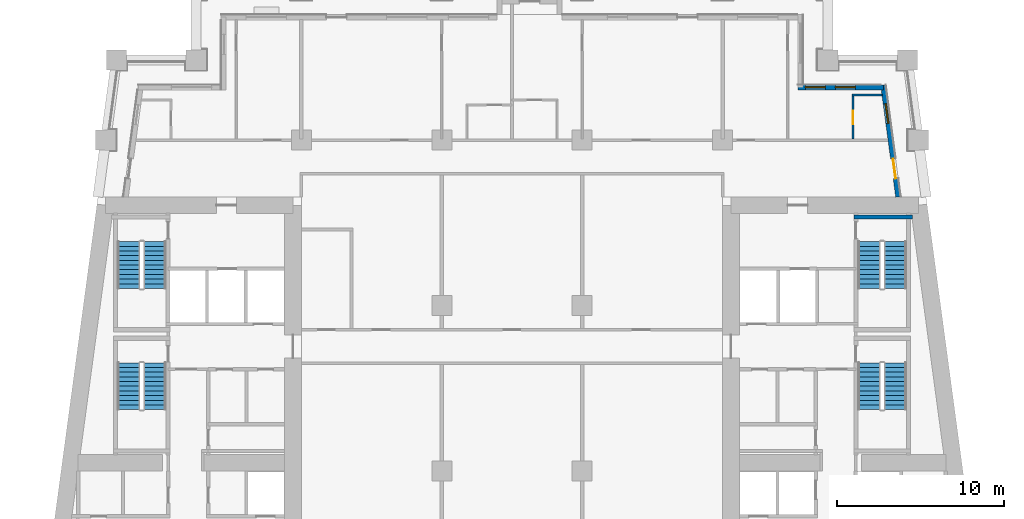
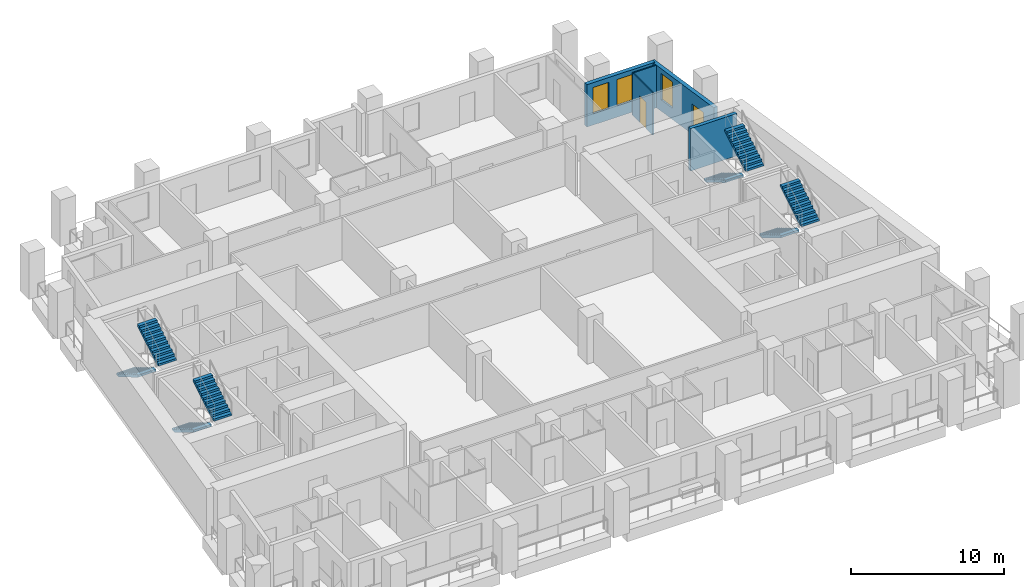
# One storey, part 8 of 13: 8 stair flights, 5 walls, 3 windows, 2 doors, 5 openings, 4 elements without a shape of their own.
"""IFC4 building model written with IfcOpenShell, lengths in metres."""

from ifc_helpers import new_model, si_unit, direction, frame, frame_2d, origin, place, context, subcontext, project, spatial, polyline, rectangle, outline, extrude, material, layer, layer_set, type_object, element, fill, aggregate, save


model = new_model("IFC4")

# Units and contexts
model_context = context("Model", 3, precision=1e-05, world=origin(), true_north=direction((0.0, 1.0)))
body_context = subcontext(model_context, "Body", "Model", "MODEL_VIEW")
ifc_project = project(units=[si_unit("LENGTHUNIT", "METRE"), si_unit("AREAUNIT", "SQUARE_METRE"), si_unit("VOLUMEUNIT", "CUBIC_METRE"), si_unit("PLANEANGLEUNIT", "RADIAN"), si_unit("MASSUNIT", "GRAM", prefix="KILO")], contexts=[model_context])

# Site, building, storey
site_placement = place(None, origin())
site = spatial("IfcSite", under=ifc_project, at=site_placement, CompositionType="ELEMENT")
building_placement = place(site_placement, origin())
building = spatial("IfcBuilding", under=site, at=building_placement, Name="Candeia Pilgrim Tower and Theatre", CompositionType="ELEMENT")
storey_placement = place(building_placement, frame((0.0, 0.0, 94.699951171875)))
storey = spatial("IfcBuildingStorey", under=building, at=storey_placement, Name="L21", CompositionType="ELEMENT", Elevation=94.699951171875)

# Wall, openings, door, window
ifc_material_1 = material(Name="Ceramic block masonry", Category="masonry")
ifc_layer_1 = layer(ifc_material_1, 0.300048828125)
ifc_layer_set_1 = layer_set([ifc_layer_1], Name="EW1 glazing-line wall 300")
wall_type_1 = type_object("IfcWallType", Name="EW1 glazing-line wall 300", PredefinedType="SOLIDWALL", material=ifc_layer_set_1)
wall_1_placement = place(storey_placement, frame((136.50439453125, 132.39990234375, 0.0), z_axis=(0.0, 0.0, 1.0), x_axis=(-0.133399697462, 0.99106231929, 0.0)))
wall_1 = element("IfcWall", 1, at=wall_1_placement, inside=storey, type_object=wall_type_1, Name="External wall L21-3.1", PredefinedType="SOLIDWALL", context=body_context, shape_type="SweptSolid", body=[
    extrude(rectangle(XDim=6.740478515625, YDim=0.300048828125, at=frame_2d((3.3701171875, 0.0))), origin(), (0.0, 0.0, 1.0), 3.380126953125),
])
opening_1_placement = place(wall_1_placement, frame((1.115234375, 0.0, 0.0)))
opening_1 = element("IfcOpeningElement", 2, at=opening_1_placement, cuts=wall_1, Name="Opening L21-ED218", PredefinedType="OPENING", context=body_context, shape_type="SweptSolid", body=[
    extrude(rectangle(XDim=1.199951171875, YDim=2.39990234375, at=frame_2d((0.60009765625, 1.199951171875))), frame((0.0, 0.16015625, 0.0), z_axis=(0.0, -1.0, 0.0), x_axis=(1.0, 0.0, 0.0)), (0.0, 0.0, 1.0), 0.320068359375),
])
opening_2_placement = place(wall_1_placement, frame((4.435546875, 0.0, 0.89990234375)))
opening_2 = element("IfcOpeningElement", 3, at=opening_2_placement, cuts=wall_1, Name="Opening W-B", PredefinedType="OPENING", context=body_context, shape_type="SweptSolid", body=[
    extrude(rectangle(XDim=1.199951171875, YDim=2.10009765625, at=frame_2d((0.60009765625, 1.050048828125))), frame((0.0, 0.16015625, 0.0), z_axis=(0.0, -1.0, 0.0), x_axis=(1.0, 0.0, 0.0)), (0.0, 0.0, 1.0), 0.320068359375),
])
ifc_material_2 = material(Name="Aluminium framed glazed door", Category="aluminium")
door_type_1 = type_object("IfcDoorType", Name="Loggia door 1200x2400", OperationType="DOUBLE_DOOR_SINGLE_SWING", PredefinedType="DOOR", material=ifc_material_2)
door_1_placement = place(opening_1_placement, origin())
door_1 = element("IfcDoor", 4, at=door_1_placement, inside=storey, type_object=door_type_1, Name="Loggia door L21-ED218", OperationType="DOUBLE_DOOR_SINGLE_SWING", OverallHeight=2.39990234375, OverallWidth=1.199951171875, PredefinedType="DOOR", context=body_context, shape_type="SweptSolid", body=[
    extrude(rectangle(XDim=1.199951171875, YDim=2.39990234375, at=frame_2d((0.60009765625, 1.199951171875))), frame((0.0, 0.02490234375, 0.0), z_axis=(0.0, -1.0, 0.0), x_axis=(1.0, 0.0, 0.0)), (0.0, 0.0, 1.0), 0.050048828125),
])
fill(opening_1, door_1)
ifc_material_3 = material(Name="Aluminium framed double glazing", Category="aluminium")
window_type = type_object("IfcWindowType", Name="W-B window 1200x2100", PartitioningType="SINGLE_PANEL", PredefinedType="WINDOW", material=ifc_material_3)
window_1_placement = place(opening_2_placement, origin())
window_1 = element("IfcWindow", 5, at=window_1_placement, inside=storey, type_object=window_type, Name="Window W-B L21", OverallHeight=2.10009765625, OverallWidth=1.199951171875, PartitioningType="SINGLE_PANEL", PredefinedType="WINDOW", context=body_context, shape_type="SweptSolid", body=[
    extrude(rectangle(XDim=1.199951171875, YDim=2.10009765625, at=frame_2d((0.60009765625, 1.050048828125))), frame((0.0, 0.030029296875, 0.0), z_axis=(0.0, -1.0, 0.0), x_axis=(1.0, 0.0, 0.0)), (0.0, 0.0, 1.0), 0.06005859375),
])
fill(opening_2, window_1)

# Wall, openings, windows
wall_2_placement = place(storey_placement, frame((135.62255859375, 138.949951171875, 0.0), z_axis=(0.0, 0.0, 1.0), x_axis=(-1.0, 0.0, 0.0)))
wall_2 = element("IfcWall", 6, at=wall_2_placement, inside=storey, type_object=wall_type_1, Name="External wall L21-4.0", PredefinedType="SOLIDWALL", context=body_context, shape_type="SweptSolid", body=[
    extrude(rectangle(XDim=5.12255859375, YDim=0.300048828125, at=frame_2d((2.561279296875, 0.0))), origin(), (0.0, 0.0, 1.0), 3.380126953125),
])
opening_3_placement = place(wall_2_placement, frame((1.672607421875, 0.0, 0.89990234375)))
opening_3 = element("IfcOpeningElement", 7, at=opening_3_placement, cuts=wall_2, Name="Opening W-B", PredefinedType="OPENING", context=body_context, shape_type="SweptSolid", body=[
    extrude(rectangle(XDim=1.199951171875, YDim=2.10009765625, at=frame_2d((0.60009765625, 1.050048828125))), frame((0.0, 0.16015625, 0.0), z_axis=(0.0, -1.0, 0.0), x_axis=(1.0, 0.0, 0.0)), (0.0, 0.0, 1.0), 0.320068359375),
])
opening_4_placement = place(wall_2_placement, frame((3.47265625, 0.0, 0.89990234375)))
opening_4 = element("IfcOpeningElement", 8, at=opening_4_placement, cuts=wall_2, Name="Opening W-B", PredefinedType="OPENING", context=body_context, shape_type="SweptSolid", body=[
    extrude(rectangle(XDim=1.199951171875, YDim=2.10009765625, at=frame_2d((0.60009765625, 1.050048828125))), frame((0.0, 0.16015625, 0.0), z_axis=(0.0, -1.0, 0.0), x_axis=(1.0, 0.0, 0.0)), (0.0, 0.0, 1.0), 0.320068359375),
])
window_2_placement = place(opening_3_placement, origin())
window_2 = element("IfcWindow", 9, at=window_2_placement, inside=storey, type_object=window_type, Name="Window W-B L21", OverallHeight=2.10009765625, OverallWidth=1.199951171875, PartitioningType="SINGLE_PANEL", PredefinedType="WINDOW", context=body_context, shape_type="SweptSolid", body=[
    extrude(rectangle(XDim=1.199951171875, YDim=2.10009765625, at=frame_2d((0.60009765625, 1.050048828125))), frame((0.0, 0.030029296875, 0.0), z_axis=(0.0, -1.0, 0.0), x_axis=(1.0, 0.0, 0.0)), (0.0, 0.0, 1.0), 0.06005859375),
])
fill(opening_3, window_2)
window_3_placement = place(opening_4_placement, origin())
window_3 = element("IfcWindow", 10, at=window_3_placement, inside=storey, type_object=window_type, Name="Window W-B L21", OverallHeight=2.10009765625, OverallWidth=1.199951171875, PartitioningType="SINGLE_PANEL", PredefinedType="WINDOW", context=body_context, shape_type="SweptSolid", body=[
    extrude(rectangle(XDim=1.199951171875, YDim=2.10009765625, at=frame_2d((0.60009765625, 1.050048828125))), frame((0.0, 0.030029296875, 0.0), z_axis=(0.0, -1.0, 0.0), x_axis=(1.0, 0.0, 0.0)), (0.0, 0.0, 1.0), 0.06005859375),
])
fill(opening_4, window_3)

# Wall
ifc_material_4 = material(Name="Gypsum board partition on steel studs", Category="steel")
ifc_layer_2 = layer(ifc_material_4, 0.10009765625)
ifc_layer_set_2 = layer_set([ifc_layer_2], Name="PW-100 room partition")
wall_type_2 = type_object("IfcWallType", Name="PW-100 room partition", PredefinedType="PARTITIONING", material=ifc_layer_set_2)
wall_3_placement = place(storey_placement, frame((133.75, 138.5, 0.0), z_axis=(0.0, 0.0, 1.0), x_axis=(1.0, 0.0, 0.0)))
element("IfcWall", 11, at=wall_3_placement, inside=storey, type_object=wall_type_2, Name="Room partition L21-048", PredefinedType="PARTITIONING", context=body_context, shape_type="SweptSolid", body=[
    extrude(rectangle(XDim=1.7919921875, YDim=0.10009765625, at=frame_2d((0.89599609375, 0.0))), origin(), (0.0, 0.0, 1.0), 3.380126953125),
])

# Wall, opening, door
wall_4_placement = place(storey_placement, frame((133.800048828125, 135.875, 0.0), z_axis=(0.0, 0.0, 1.0), x_axis=(0.0, 1.0, 0.0)))
wall_4 = element("IfcWall", 12, at=wall_4_placement, inside=storey, type_object=wall_type_2, Name="Room partition L21-110", PredefinedType="PARTITIONING", context=body_context, shape_type="SweptSolid", body=[
    extrude(rectangle(XDim=2.574951171875, YDim=0.10009765625, at=frame_2d((1.28759765625, 0.0))), origin(), (0.0, 0.0, 1.0), 3.380126953125),
])
opening_5_placement = place(wall_4_placement, frame((0.875, 0.0, 0.0)))
opening_5 = element("IfcOpeningElement", 13, at=opening_5_placement, cuts=wall_4, Name="Opening L21-D049", PredefinedType="OPENING", context=body_context, shape_type="SweptSolid", body=[
    extrude(rectangle(XDim=0.800048828125, YDim=2.10009765625, at=frame_2d((0.39990234375, 1.050048828125))), frame((0.0, 0.06005859375, 0.0), z_axis=(0.0, -1.0, 0.0), x_axis=(1.0, 0.0, 0.0)), (0.0, 0.0, 1.0), 0.1201171875),
])
ifc_material_5 = material(Name="Timber door leaf", Category="wood")
door_type_2 = type_object("IfcDoorType", Name="D-800", OperationType="NOTDEFINED", PredefinedType="DOOR", material=ifc_material_5)
door_2_placement = place(opening_5_placement, origin())
door_2 = element("IfcDoor", 14, at=door_2_placement, inside=storey, type_object=door_type_2, Name="Door L21-D049", OperationType="SINGLE_SWING_RIGHT", OverallHeight=2.10009765625, OverallWidth=0.800048828125, PredefinedType="DOOR", context=body_context, shape_type="SweptSolid", body=[
    extrude(rectangle(XDim=0.800048828125, YDim=2.10009765625, at=frame_2d((0.39990234375, 1.050048828125))), frame((0.0, 0.02490234375, 0.0), z_axis=(0.0, -1.0, 0.0), x_axis=(1.0, 0.0, 0.0)), (0.0, 0.0, 1.0), 0.050048828125),
])
fill(opening_5, door_2)

# Wall
ifc_material_6 = material(Name="Concrete C40/50", Category="concrete")
ifc_layer_3 = layer(ifc_material_6, 0.25)
ifc_layer_set_3 = layer_set([ifc_layer_3], Name="SW-250 stair wall")
wall_type_3 = type_object("IfcWallType", Name="SW-250 stair wall", PredefinedType="PARTITIONING", material=ifc_layer_set_3)
wall_5_placement = place(storey_placement, frame((133.847900390625, 131.199951171875, 0.0), z_axis=(0.0, 0.0, 1.0), x_axis=(1.0, 0.0, 0.0)))
element("IfcWall", 15, at=wall_5_placement, inside=storey, type_object=wall_type_3, Name="Stair wall L21-042", PredefinedType="PARTITIONING", context=body_context, shape_type="SweptSolid", body=[
    extrude(rectangle(XDim=3.50390625, YDim=0.25, at=frame_2d((1.751953125, 0.0))), origin(), (0.0, 0.0, 1.0), 3.380126953125),
])

# Stair, stair flights
stair_type = type_object("IfcStairType", Name="ST-TWR dog-leg escape stair", PredefinedType="HALF_TURN_STAIR", material=ifc_material_6)
stair_1_placement = place(storey_placement, origin())
stair_1 = element("IfcStair", 16, at=stair_1_placement, inside=storey, type_object=stair_type, Name="L21 Escape stair ST1", PredefinedType="HALF_TURN_STAIR")
stair_flight_type = type_object("IfcStairFlightType", Name="SFL-RC stair flight", PredefinedType="STRAIGHT", material=ifc_material_6)
stair_flight_1_placement = place(storey_placement, frame((90.47705078125, 122.47509765625, 0.0), z_axis=(0.0, 0.0, 1.0), x_axis=(0.0, -1.0, 0.0)))
stair_flight_1 = element("IfcStairFlight", 17, at=stair_flight_1_placement, type_object=stair_flight_type, Name="ST1 flight 1", NumberOfRisers=11, NumberOfTreads=10, PredefinedType="STRAIGHT", RiserHeight=0.168181818, TreadLength=0.28, context=body_context, shape_type="SweptSolid", body=[
    extrude(outline(polyline([(0.0, 0.0), (0.0, 0.168212890625), (0.280029296875, 0.168212890625), (0.280029296875, 0.33642578125), (0.56005859375, 0.33642578125), (0.56005859375, 0.504638671875), (0.840087890625, 0.504638671875), (0.840087890625, 0.672607421875), (1.1201171875, 0.672607421875), (1.1201171875, 0.8408203125), (1.39990234375, 0.8408203125), (1.39990234375, 1.009033203125), (1.679931640625, 1.009033203125), (1.679931640625, 1.17724609375), (1.9599609375, 1.17724609375), (1.9599609375, 1.345458984375), (2.239990234375, 1.345458984375), (2.239990234375, 1.513671875), (2.52001953125, 1.513671875), (2.52001953125, 1.681884765625), (2.800048828125, 1.681884765625), (2.800048828125, 1.85009765625), (2.800048828125, 1.5068359375), (0.291015625, 0.0), (0.0, 0.0)])), frame((0.0, 0.675048828125, 0.0), z_axis=(0.0, -1.0, 0.0), x_axis=(1.0, 0.0, 0.0)), (0.0, 0.0, 1.0), 1.35009765625),
])
stair_flight_2_placement = place(storey_placement, frame((92.027099609375, 119.675048828125, 1.85009765625), z_axis=(0.0, 0.0, 1.0), x_axis=(0.0, 1.0, 0.0)))
stair_flight_2 = element("IfcStairFlight", 18, at=stair_flight_2_placement, type_object=stair_flight_type, Name="ST1 flight 2", NumberOfRisers=11, NumberOfTreads=10, PredefinedType="STRAIGHT", RiserHeight=0.168181818, TreadLength=0.28, context=body_context, shape_type="SweptSolid", body=[
    extrude(outline(polyline([(0.0, 0.0), (0.0, 0.168212890625), (0.280029296875, 0.168212890625), (0.280029296875, 0.33642578125), (0.56005859375, 0.33642578125), (0.56005859375, 0.504638671875), (0.840087890625, 0.504638671875), (0.840087890625, 0.672607421875), (1.1201171875, 0.672607421875), (1.1201171875, 0.8408203125), (1.39990234375, 0.8408203125), (1.39990234375, 1.009033203125), (1.679931640625, 1.009033203125), (1.679931640625, 1.17724609375), (1.9599609375, 1.17724609375), (1.9599609375, 1.345458984375), (2.239990234375, 1.345458984375), (2.239990234375, 1.513671875), (2.52001953125, 1.513671875), (2.52001953125, 1.681884765625), (2.800048828125, 1.681884765625), (2.800048828125, 1.85009765625), (2.800048828125, 1.5068359375), (0.291015625, 0.0), (0.0, 0.0)])), frame((0.0, 0.675048828125, 0.0), z_axis=(0.0, -1.0, 0.0), x_axis=(1.0, 0.0, 0.0)), (0.0, 0.0, 1.0), 1.35009765625),
])
aggregate(stair_1, [stair_flight_1, stair_flight_2])

stair_2_placement = place(storey_placement, origin())
stair_2 = element("IfcStair", 19, at=stair_2_placement, inside=storey, type_object=stair_type, Name="L21 Escape stair ST2", PredefinedType="HALF_TURN_STAIR")
stair_flight_3_placement = place(storey_placement, frame((90.47705078125, 129.72509765625, 0.0), z_axis=(0.0, 0.0, 1.0), x_axis=(0.0, -1.0, 0.0)))
stair_flight_3 = element("IfcStairFlight", 20, at=stair_flight_3_placement, type_object=stair_flight_type, Name="ST2 flight 1", NumberOfRisers=11, NumberOfTreads=10, PredefinedType="STRAIGHT", RiserHeight=0.168181818, TreadLength=0.28, context=body_context, shape_type="SweptSolid", body=[
    extrude(outline(polyline([(0.0, 0.0), (0.0, 0.168212890625), (0.280029296875, 0.168212890625), (0.280029296875, 0.33642578125), (0.56005859375, 0.33642578125), (0.56005859375, 0.504638671875), (0.840087890625, 0.504638671875), (0.840087890625, 0.672607421875), (1.1201171875, 0.672607421875), (1.1201171875, 0.8408203125), (1.39990234375, 0.8408203125), (1.39990234375, 1.009033203125), (1.679931640625, 1.009033203125), (1.679931640625, 1.17724609375), (1.9599609375, 1.17724609375), (1.9599609375, 1.345458984375), (2.239990234375, 1.345458984375), (2.239990234375, 1.513671875), (2.52001953125, 1.513671875), (2.52001953125, 1.681884765625), (2.800048828125, 1.681884765625), (2.800048828125, 1.85009765625), (2.800048828125, 1.5068359375), (0.291015625, 0.0), (0.0, 0.0)])), frame((0.0, 0.675048828125, 0.0), z_axis=(0.0, -1.0, 0.0), x_axis=(1.0, 0.0, 0.0)), (0.0, 0.0, 1.0), 1.35009765625),
])
stair_flight_4_placement = place(storey_placement, frame((92.027099609375, 126.925048828125, 1.85009765625), z_axis=(0.0, 0.0, 1.0), x_axis=(0.0, 1.0, 0.0)))
stair_flight_4 = element("IfcStairFlight", 21, at=stair_flight_4_placement, type_object=stair_flight_type, Name="ST2 flight 2", NumberOfRisers=11, NumberOfTreads=10, PredefinedType="STRAIGHT", RiserHeight=0.168181818, TreadLength=0.28, context=body_context, shape_type="SweptSolid", body=[
    extrude(outline(polyline([(0.0, 0.0), (0.0, 0.168212890625), (0.280029296875, 0.168212890625), (0.280029296875, 0.33642578125), (0.56005859375, 0.33642578125), (0.56005859375, 0.504638671875), (0.840087890625, 0.504638671875), (0.840087890625, 0.672607421875), (1.1201171875, 0.672607421875), (1.1201171875, 0.8408203125), (1.39990234375, 0.8408203125), (1.39990234375, 1.009033203125), (1.679931640625, 1.009033203125), (1.679931640625, 1.17724609375), (1.9599609375, 1.17724609375), (1.9599609375, 1.345458984375), (2.239990234375, 1.345458984375), (2.239990234375, 1.513671875), (2.52001953125, 1.513671875), (2.52001953125, 1.681884765625), (2.800048828125, 1.681884765625), (2.800048828125, 1.85009765625), (2.800048828125, 1.5068359375), (0.291015625, 0.0), (0.0, 0.0)])), frame((0.0, 0.675048828125, 0.0), z_axis=(0.0, -1.0, 0.0), x_axis=(1.0, 0.0, 0.0)), (0.0, 0.0, 1.0), 1.35009765625),
])
aggregate(stair_2, [stair_flight_3, stair_flight_4])

stair_3_placement = place(storey_placement, origin())
stair_3 = element("IfcStair", 22, at=stair_3_placement, inside=storey, type_object=stair_type, Name="L21 Escape stair ST3", PredefinedType="HALF_TURN_STAIR")
stair_flight_5_placement = place(storey_placement, frame((134.77294921875, 122.47509765625, 0.0), z_axis=(0.0, 0.0, 1.0), x_axis=(0.0, -1.0, 0.0)))
stair_flight_5 = element("IfcStairFlight", 23, at=stair_flight_5_placement, type_object=stair_flight_type, Name="ST3 flight 1", NumberOfRisers=11, NumberOfTreads=10, PredefinedType="STRAIGHT", RiserHeight=0.168181818, TreadLength=0.28, context=body_context, shape_type="SweptSolid", body=[
    extrude(outline(polyline([(0.0, 0.0), (0.0, 0.168212890625), (0.280029296875, 0.168212890625), (0.280029296875, 0.33642578125), (0.56005859375, 0.33642578125), (0.56005859375, 0.504638671875), (0.840087890625, 0.504638671875), (0.840087890625, 0.672607421875), (1.1201171875, 0.672607421875), (1.1201171875, 0.8408203125), (1.39990234375, 0.8408203125), (1.39990234375, 1.009033203125), (1.679931640625, 1.009033203125), (1.679931640625, 1.17724609375), (1.9599609375, 1.17724609375), (1.9599609375, 1.345458984375), (2.239990234375, 1.345458984375), (2.239990234375, 1.513671875), (2.52001953125, 1.513671875), (2.52001953125, 1.681884765625), (2.800048828125, 1.681884765625), (2.800048828125, 1.85009765625), (2.800048828125, 1.5068359375), (0.291015625, 0.0), (0.0, 0.0)])), frame((0.0, 0.675048828125, 0.0), z_axis=(0.0, -1.0, 0.0), x_axis=(1.0, 0.0, 0.0)), (0.0, 0.0, 1.0), 1.35009765625),
])
stair_flight_6_placement = place(storey_placement, frame((136.322998046875, 119.675048828125, 1.85009765625), z_axis=(0.0, 0.0, 1.0), x_axis=(0.0, 1.0, 0.0)))
stair_flight_6 = element("IfcStairFlight", 24, at=stair_flight_6_placement, type_object=stair_flight_type, Name="ST3 flight 2", NumberOfRisers=11, NumberOfTreads=10, PredefinedType="STRAIGHT", RiserHeight=0.168181818, TreadLength=0.28, context=body_context, shape_type="SweptSolid", body=[
    extrude(outline(polyline([(0.0, 0.0), (0.0, 0.168212890625), (0.280029296875, 0.168212890625), (0.280029296875, 0.33642578125), (0.56005859375, 0.33642578125), (0.56005859375, 0.504638671875), (0.840087890625, 0.504638671875), (0.840087890625, 0.672607421875), (1.1201171875, 0.672607421875), (1.1201171875, 0.8408203125), (1.39990234375, 0.8408203125), (1.39990234375, 1.009033203125), (1.679931640625, 1.009033203125), (1.679931640625, 1.17724609375), (1.9599609375, 1.17724609375), (1.9599609375, 1.345458984375), (2.239990234375, 1.345458984375), (2.239990234375, 1.513671875), (2.52001953125, 1.513671875), (2.52001953125, 1.681884765625), (2.800048828125, 1.681884765625), (2.800048828125, 1.85009765625), (2.800048828125, 1.5068359375), (0.291015625, 0.0), (0.0, 0.0)])), frame((0.0, 0.675048828125, 0.0), z_axis=(0.0, -1.0, 0.0), x_axis=(1.0, 0.0, 0.0)), (0.0, 0.0, 1.0), 1.35009765625),
])
aggregate(stair_3, [stair_flight_5, stair_flight_6])

stair_4_placement = place(storey_placement, origin())
stair_4 = element("IfcStair", 25, at=stair_4_placement, inside=storey, type_object=stair_type, Name="L21 Escape stair ST4", PredefinedType="HALF_TURN_STAIR")
stair_flight_7_placement = place(storey_placement, frame((134.77294921875, 129.72509765625, 0.0), z_axis=(0.0, 0.0, 1.0), x_axis=(0.0, -1.0, 0.0)))
stair_flight_7 = element("IfcStairFlight", 26, at=stair_flight_7_placement, type_object=stair_flight_type, Name="ST4 flight 1", NumberOfRisers=11, NumberOfTreads=10, PredefinedType="STRAIGHT", RiserHeight=0.168181818, TreadLength=0.28, context=body_context, shape_type="SweptSolid", body=[
    extrude(outline(polyline([(0.0, 0.0), (0.0, 0.168212890625), (0.280029296875, 0.168212890625), (0.280029296875, 0.33642578125), (0.56005859375, 0.33642578125), (0.56005859375, 0.504638671875), (0.840087890625, 0.504638671875), (0.840087890625, 0.672607421875), (1.1201171875, 0.672607421875), (1.1201171875, 0.8408203125), (1.39990234375, 0.8408203125), (1.39990234375, 1.009033203125), (1.679931640625, 1.009033203125), (1.679931640625, 1.17724609375), (1.9599609375, 1.17724609375), (1.9599609375, 1.345458984375), (2.239990234375, 1.345458984375), (2.239990234375, 1.513671875), (2.52001953125, 1.513671875), (2.52001953125, 1.681884765625), (2.800048828125, 1.681884765625), (2.800048828125, 1.85009765625), (2.800048828125, 1.5068359375), (0.291015625, 0.0), (0.0, 0.0)])), frame((0.0, 0.675048828125, 0.0), z_axis=(0.0, -1.0, 0.0), x_axis=(1.0, 0.0, 0.0)), (0.0, 0.0, 1.0), 1.35009765625),
])
stair_flight_8_placement = place(storey_placement, frame((136.322998046875, 126.925048828125, 1.85009765625), z_axis=(0.0, 0.0, 1.0), x_axis=(0.0, 1.0, 0.0)))
stair_flight_8 = element("IfcStairFlight", 27, at=stair_flight_8_placement, type_object=stair_flight_type, Name="ST4 flight 2", NumberOfRisers=11, NumberOfTreads=10, PredefinedType="STRAIGHT", RiserHeight=0.168181818, TreadLength=0.28, context=body_context, shape_type="SweptSolid", body=[
    extrude(outline(polyline([(0.0, 0.0), (0.0, 0.168212890625), (0.280029296875, 0.168212890625), (0.280029296875, 0.33642578125), (0.56005859375, 0.33642578125), (0.56005859375, 0.504638671875), (0.840087890625, 0.504638671875), (0.840087890625, 0.672607421875), (1.1201171875, 0.672607421875), (1.1201171875, 0.8408203125), (1.39990234375, 0.8408203125), (1.39990234375, 1.009033203125), (1.679931640625, 1.009033203125), (1.679931640625, 1.17724609375), (1.9599609375, 1.17724609375), (1.9599609375, 1.345458984375), (2.239990234375, 1.345458984375), (2.239990234375, 1.513671875), (2.52001953125, 1.513671875), (2.52001953125, 1.681884765625), (2.800048828125, 1.681884765625), (2.800048828125, 1.85009765625), (2.800048828125, 1.5068359375), (0.291015625, 0.0), (0.0, 0.0)])), frame((0.0, 0.675048828125, 0.0), z_axis=(0.0, -1.0, 0.0), x_axis=(1.0, 0.0, 0.0)), (0.0, 0.0, 1.0), 1.35009765625),
])
aggregate(stair_4, [stair_flight_7, stair_flight_8])

save(model, "model.ifc")
